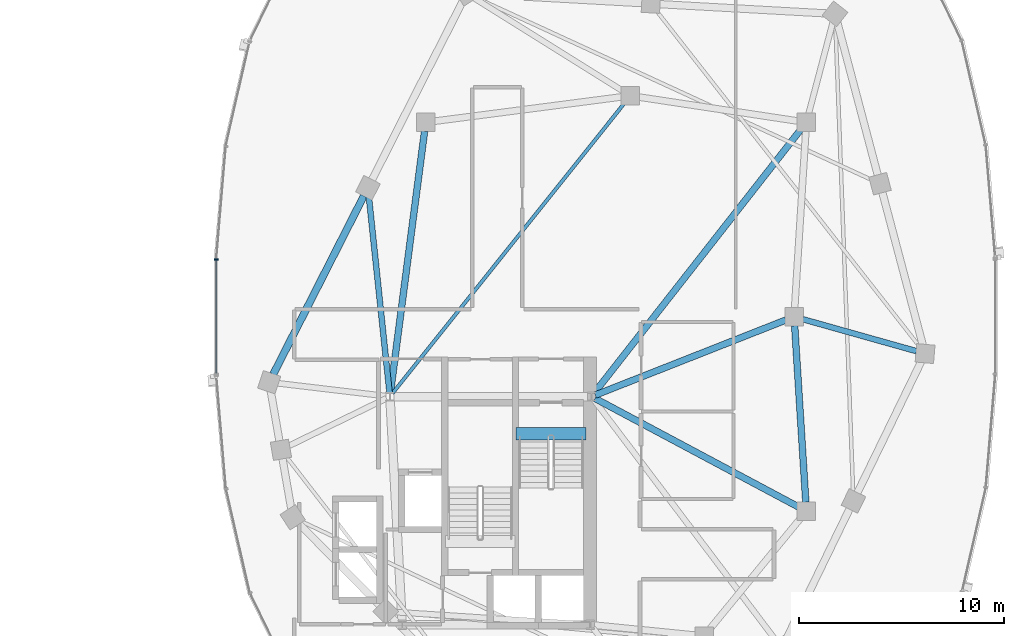
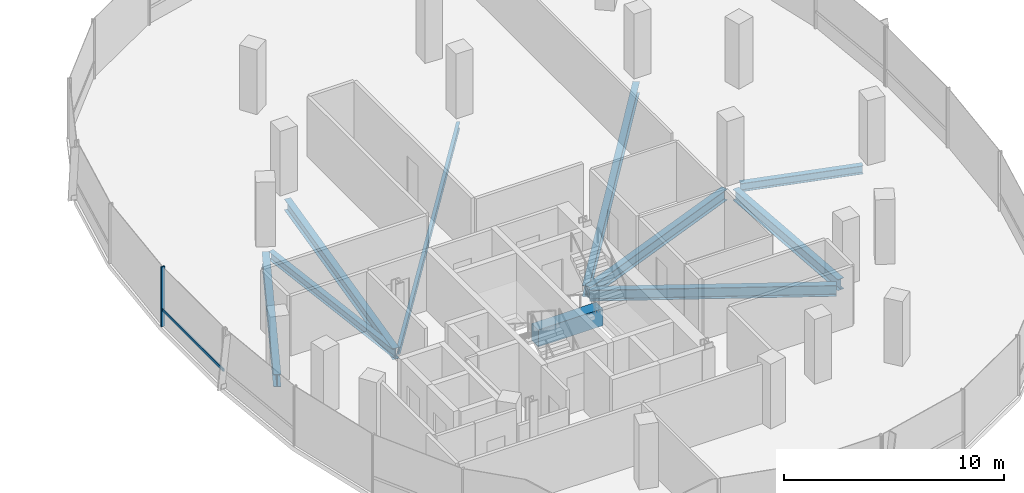
# One storey, part 9 of 24: 10 beams, 2 members, 1 element without a shape of its own.
"""IFC4 building model written with IfcOpenShell, lengths in metres."""

from ifc_helpers import new_model, si_unit, direction, frame, origin, origin_2d, place, context, subcontext, project, spatial, rectangle, i_section, extrude, material, material_profile, profile_set, type_object, element, aggregate, save


model = new_model("IFC4")

# Units and contexts
model_context = context("Model", 3, precision=1e-05, world=origin(), true_north=direction((0.0, 1.0)))
body_context = subcontext(model_context, "Body", "Model", "MODEL_VIEW")
ifc_project = project(units=[si_unit("LENGTHUNIT", "METRE"), si_unit("AREAUNIT", "SQUARE_METRE"), si_unit("VOLUMEUNIT", "CUBIC_METRE"), si_unit("PLANEANGLEUNIT", "RADIAN"), si_unit("MASSUNIT", "GRAM", prefix="KILO"), si_unit("THERMODYNAMICTEMPERATUREUNIT", "KELVIN"), si_unit("POWERUNIT", "WATT")], contexts=[model_context])

# Site, building, storey
site_placement = place(None, origin())
site = spatial("IfcSite", under=ifc_project, at=site_placement, CompositionType="ELEMENT")
building_placement = place(site_placement, origin())
building = spatial("IfcBuilding", under=site, at=building_placement, Name="Cundina Bronze Exchange", CompositionType="ELEMENT")
storey_placement = place(building_placement, frame((0.0, 0.0, 231.39990234375)))
storey = spatial("IfcBuildingStorey", under=building, at=storey_placement, Name="L61", CompositionType="ELEMENT", Elevation=231.39990234375)

# Beams
ifc_material_1 = material(Name="Concrete C60/75", Category="concrete")
ifc_material_profile_1 = material_profile(ifc_material_1, rectangle(XDim=0.60009765625, YDim=0.949951171875, at=origin_2d()), Name="RC600X950", Category="concrete")
ifc_profile_set_1 = profile_set([ifc_material_profile_1], Name="Concrete C60/75")
beam_type_1 = type_object("IfcBeamType", Name="BM-COUP-RC950", PredefinedType="LINTEL", material=ifc_profile_set_1)
beam_1_placement = place(storey_placement, frame((27.6201171875, -5.719970703125, -0.474853515625), z_axis=(1.0, 0.0, 0.0), x_axis=(0.0, 1.0, 0.0)))
element("IfcBeam", 1, at=beam_1_placement, inside=storey, type_object=beam_type_1, Name="L61 Stair E1 Landing Header Beam", PredefinedType="LINTEL", context=body_context, shape_type="SweptSolid", body=[
    extrude(rectangle(XDim=0.60009765625, YDim=0.949951171875, at=origin_2d()), origin(), (0.0, 0.0, 1.0), 3.39990234375),
])
ifc_material_2 = material(Name="Steel ASTM A992 Grade 50", Category="steel")
ifc_material_profile_2 = material_profile(ifc_material_2, i_section(OverallWidth=0.280029296875, OverallDepth=0.462890625, WebThickness=0.0107421875, FlangeThickness=0.017333984375, FilletRadius=0.011962890625, at=origin_2d()), Name="W18X76", Category="steel")
ifc_profile_set_2 = profile_set([ifc_material_profile_2], Name="Steel ASTM A992 Grade 50")
beam_type_2 = type_object("IfcBeamType", Name="BM-FLR-W18A", PredefinedType="BEAM", material=ifc_profile_set_2)
beam_2_placement = place(storey_placement, frame((41.62158203125, -0.11865234375, -0.491455078125), z_axis=(0.96265679604, -0.270724755127, 0.0), x_axis=(0.270724755127, 0.96265679604, 0.0)))
element("IfcBeam", 2, at=beam_2_placement, inside=storey, type_object=beam_type_2, Name="L61 Leg E Chordal Floor Beam 08", PredefinedType="BEAM", context=body_context, shape_type="SweptSolid", body=[
    extrude(i_section(OverallWidth=0.280029296875, OverallDepth=0.462890625, WebThickness=0.0107421875, FlangeThickness=0.017333984375, FilletRadius=0.011962890625, at=origin_2d()), origin(), (0.0, 0.0, 1.0), 5.7724609375),
])
beam_3_placement = place(storey_placement, frame((21.429443359375, -3.705078125, -0.491455078125), z_axis=(-0.104810251666, 0.994492237851, 0.0), x_axis=(-0.994492237851, -0.104810251666, 0.0)))
element("IfcBeam", 3, at=beam_3_placement, inside=storey, type_object=beam_type_2, Name="L61 Leg E Chordal Floor Beam 13", PredefinedType="BEAM", context=body_context, shape_type="SweptSolid", body=[
    extrude(i_section(OverallWidth=0.280029296875, OverallDepth=0.462890625, WebThickness=0.0107421875, FlangeThickness=0.017333984375, FilletRadius=0.011962890625, at=origin_2d()), origin(), (0.0, 0.0, 1.0), 9.62255859375),
])
ifc_material_profile_3 = material_profile(ifc_material_2, i_section(OverallWidth=0.172119140625, OverallDepth=0.35791015625, WebThickness=0.0078125, FlangeThickness=0.01318359375, FilletRadius=0.010009765625, at=origin_2d()), Name="W14X38", Category="steel")
ifc_profile_set_3 = profile_set([ifc_material_profile_3], Name="Steel ASTM A992 Grade 50")
beam_type_3 = type_object("IfcBeamType", Name="BM-JST-W14", PredefinedType="JOIST", material=ifc_profile_set_3)
beam_4_placement = place(storey_placement, frame((21.572509765625, -3.746826171875, -0.43896484375), z_axis=(0.624364266872, 0.781133319129, 0.0), x_axis=(-0.781133319129, 0.624364266872, 0.0)))
element("IfcBeam", 4, at=beam_4_placement, inside=storey, type_object=beam_type_3, Name="L61 E Interior Core-to-Ring Joist 2", PredefinedType="JOIST", context=body_context, shape_type="SweptSolid", body=[
    extrude(i_section(OverallWidth=0.172119140625, OverallDepth=0.35791015625, WebThickness=0.0078125, FlangeThickness=0.01318359375, FilletRadius=0.010009765625, at=origin_2d()), origin(), (0.0, 0.0, 1.0), 18.184814453125),
])
ifc_material_profile_4 = material_profile(ifc_material_2, i_section(OverallWidth=0.324951171875, OverallDepth=0.615966796875, WebThickness=0.013916015625, FlangeThickness=0.021484375, FilletRadius=0.01611328125, at=origin_2d()), Name="W24X117", Category="steel")
ifc_profile_set_4 = profile_set([ifc_material_profile_4], Name="Steel ASTM A992 Grade 50")
beam_type_4 = type_object("IfcBeamType", Name="BM-RING-W24", PredefinedType="USERDEFINED", material=ifc_profile_set_4)
beam_5_placement = place(storey_placement, frame((41.7724609375, -9.06298828125, -0.56787109375), z_axis=(-0.063046519736, 0.998010589297, 0.0), x_axis=(-0.998010589297, -0.063046519736, 0.0)))
element("IfcBeam", 5, at=beam_5_placement, inside=storey, type_object=beam_type_4, Name="L61 E Inner Structural Ring Girder 03", ObjectType="GIRDER", PredefinedType="USERDEFINED", context=body_context, shape_type="SweptSolid", body=[
    extrude(i_section(OverallWidth=0.324951171875, OverallDepth=0.615966796875, WebThickness=0.013916015625, FlangeThickness=0.021484375, FilletRadius=0.01611328125, at=origin_2d()), origin(), (0.0, 0.0, 1.0), 8.64306640625),
])
beam_6_placement = place(storey_placement, frame((23.143310546875, 9.065673828125, -0.56787109375), z_axis=(-0.129501251979, -0.991579258424, 0.0), x_axis=(0.991579258424, -0.129501251979, 0.0)))
element("IfcBeam", 6, at=beam_6_placement, inside=storey, type_object=beam_type_4, Name="L61 E Inner Structural Ring Girder 07", ObjectType="GIRDER", PredefinedType="USERDEFINED", context=body_context, shape_type="SweptSolid", body=[
    extrude(i_section(OverallWidth=0.324951171875, OverallDepth=0.615966796875, WebThickness=0.013916015625, FlangeThickness=0.021484375, FilletRadius=0.01611328125, at=origin_2d()), origin(), (0.0, 0.0, 1.0), 12.8798828125),
])
beam_7_placement = place(storey_placement, frame((31.482421875, -3.828125, -0.56787109375), z_axis=(0.930404106569, 0.366535398673, 0.0), x_axis=(-0.366535398673, 0.930404106569, 0.0)))
element("IfcBeam", 7, at=beam_7_placement, inside=storey, type_object=beam_type_4, Name="L61 E Core-to-Waist Tie Beam 1", ObjectType="GIRDER", PredefinedType="USERDEFINED", context=body_context, shape_type="SweptSolid", body=[
    extrude(i_section(OverallWidth=0.324951171875, OverallDepth=0.615966796875, WebThickness=0.013916015625, FlangeThickness=0.021484375, FilletRadius=0.01611328125, at=origin_2d()), origin(), (0.0, 0.0, 1.0), 10.00634765625),
])
beam_8_placement = place(storey_placement, frame((31.472900390625, -3.9921875, -0.56787109375), z_axis=(0.882350541683, -0.470592734317, 0.0), x_axis=(0.470592734317, 0.882350541683, 0.0)))
element("IfcBeam", 8, at=beam_8_placement, inside=storey, type_object=beam_type_4, Name="L61 E Core-to-Waist Tie Beam 2", ObjectType="GIRDER", PredefinedType="USERDEFINED", context=body_context, shape_type="SweptSolid", body=[
    extrude(i_section(OverallWidth=0.324951171875, OverallDepth=0.615966796875, WebThickness=0.013916015625, FlangeThickness=0.021484375, FilletRadius=0.01611328125, at=origin_2d()), origin(), (0.0, 0.0, 1.0), 11.26611328125),
])
beam_9_placement = place(storey_placement, frame((31.4208984375, -3.74560546875, -0.56787109375), z_axis=(0.616782900053, 0.787133314123, 0.0), x_axis=(-0.787133314123, 0.616782900053, 0.0)))
element("IfcBeam", 9, at=beam_9_placement, inside=storey, type_object=beam_type_4, Name="L61 E Core-to-Waist Tie Beam 3", ObjectType="GIRDER", PredefinedType="USERDEFINED", context=body_context, shape_type="SweptSolid", body=[
    extrude(i_section(OverallWidth=0.324951171875, OverallDepth=0.615966796875, WebThickness=0.013916015625, FlangeThickness=0.021484375, FilletRadius=0.01611328125, at=origin_2d()), origin(), (0.0, 0.0, 1.0), 16.3896484375),
])
ifc_material_profile_5 = material_profile(ifc_material_2, i_section(OverallWidth=0.35498046875, OverallDepth=0.695068359375, WebThickness=0.015380859375, FlangeThickness=0.02490234375, FilletRadius=0.01806640625, at=origin_2d()), Name="W27X146", Category="steel")
ifc_profile_set_5 = profile_set([ifc_material_profile_5], Name="Steel ASTM A992 Grade 50")
beam_type_5 = type_object("IfcBeamType", Name="BM-RING-W27", PredefinedType="USERDEFINED", material=ifc_profile_set_5)
beam_10_placement = place(storey_placement, frame((20.1767578125, 5.909423828125, -0.607421875), z_axis=(-0.452846871434, -0.891588308039, 0.0), x_axis=(0.891588308039, -0.452846871434, 0.0)))
element("IfcBeam", 10, at=beam_10_placement, inside=storey, type_object=beam_type_5, Name="L61 E Perimeter Ring Girder 13", ObjectType="GIRDER", PredefinedType="USERDEFINED", context=body_context, shape_type="SweptSolid", body=[
    extrude(i_section(OverallWidth=0.35498046875, OverallDepth=0.695068359375, WebThickness=0.015380859375, FlangeThickness=0.02490234375, FilletRadius=0.01806640625, at=origin_2d()), origin(), (0.0, 0.0, 1.0), 9.779052734375),
])

# Curtain wall, members
ifc_material_3 = material(Name="Anodised Bronze Aluminium 6063-T6", Category="aluminium")
curtain_wall_type = type_object("IfcCurtainWallType", Name="CWS-UPP-OFF", PredefinedType="NOTDEFINED", material=ifc_material_3)
curtain_wall_placement = place(storey_placement, origin())
curtain_wall = element("IfcCurtainWall", 11, at=curtain_wall_placement, inside=storey, type_object=curtain_wall_type, Name="L61 CW-05 Curtain Wall Run CWR-L61-E2", PredefinedType="NOTDEFINED")
ifc_material_profile_6 = material_profile(ifc_material_3, rectangle(XDim=0.070068359375, YDim=0.18994140625, at=origin_2d()), Name="AL70X190", Category="aluminium")
ifc_profile_set_6 = profile_set([ifc_material_profile_6], Name="Anodised Bronze Aluminium 6063-T6")
member_type_1 = type_object("IfcMemberType", Name="CWM-MUL-190", PredefinedType="MULLION", material=ifc_profile_set_6)
member_1_placement = place(storey_placement, frame((12.966064453125, 2.794921875, 0.0), z_axis=(0.0, 0.0, 1.0), x_axis=(0.0, -1.0, 0.0)))
member_1 = element("IfcMember", 12, at=member_1_placement, type_object=member_type_1, Name="CW-05 Mullion 7", PredefinedType="MULLION", context=body_context, shape_type="SweptSolid", body=[
    extrude(rectangle(XDim=0.070068359375, YDim=0.18994140625, at=origin_2d()), origin(), (0.0, 0.0, 1.0), 3.320068359375),
])
ifc_material_profile_7 = material_profile(ifc_material_3, rectangle(XDim=0.06494140625, YDim=0.14990234375, at=origin_2d()), Name="AL65X150", Category="aluminium")
ifc_profile_set_7 = profile_set([ifc_material_profile_7], Name="Anodised Bronze Aluminium 6063-T6")
member_type_2 = type_object("IfcMemberType", Name="CWM-TRN-150", PredefinedType="USERDEFINED", material=ifc_profile_set_7)
member_2_placement = place(storey_placement, frame((12.966064453125, 2.756591796875, 0.920166015625), z_axis=(0.0, -1.0, 0.0), x_axis=(1.0, 0.0, 0.0)))
member_2 = element("IfcMember", 13, at=member_2_placement, type_object=member_type_2, Name="CW-05 Spandrel Transom 7", ObjectType="TRANSOM", PredefinedType="USERDEFINED", context=body_context, shape_type="SweptSolid", body=[
    extrude(rectangle(XDim=0.06494140625, YDim=0.14990234375, at=origin_2d()), origin(), (0.0, 0.0, 1.0), 5.51318359375),
])
aggregate(curtain_wall, [member_1, member_2])

save(model, "model.ifc")
